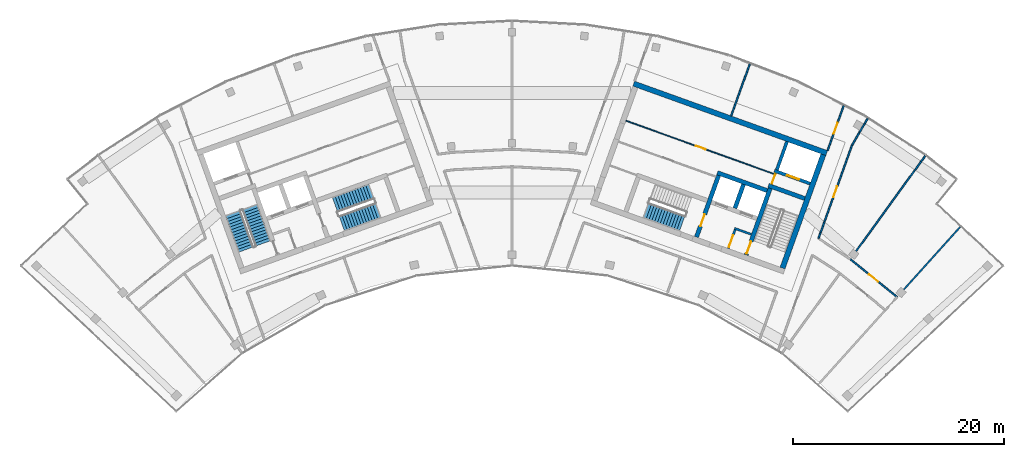
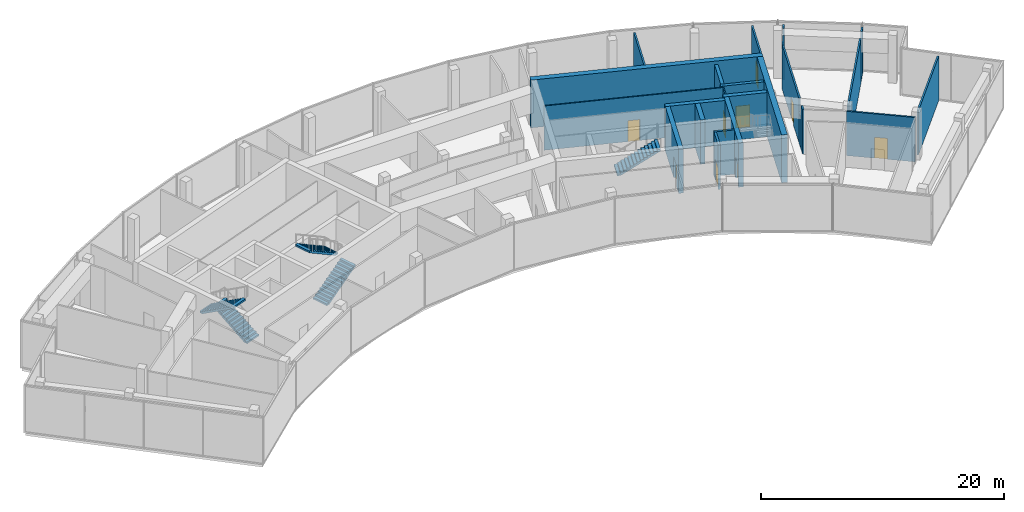
# One storey, part 15 of 17: 26 walls, 9 doors, 5 stair flights, 9 openings, 3 elements without a shape of their own.
"""IFC4 building model written with IfcOpenShell, lengths in metres."""

from ifc_helpers import new_model, si_unit, direction, frame, frame_2d, origin, place, context, subcontext, project, spatial, polyline, rectangle, outline, extrude, material, layer, layer_set, type_object, element, fill, aggregate, save


model = new_model("IFC4")

# Units and contexts
model_context = context("Model", 3, precision=1e-05, world=origin(), true_north=direction((0.0, 1.0)))
body_context = subcontext(model_context, "Body", "Model", "MODEL_VIEW")
ifc_project = project(units=[si_unit("LENGTHUNIT", "METRE"), si_unit("AREAUNIT", "SQUARE_METRE"), si_unit("VOLUMEUNIT", "CUBIC_METRE"), si_unit("PLANEANGLEUNIT", "RADIAN"), si_unit("MASSUNIT", "GRAM", prefix="KILO")], contexts=[model_context])

# Site, building, storey
site_placement = place(None, origin())
site = spatial("IfcSite", under=ifc_project, at=site_placement, CompositionType="ELEMENT")
building_placement = place(site_placement, origin())
building = spatial("IfcBuilding", under=site, at=building_placement, Name="Stone Belt Terrace Tower", CompositionType="ELEMENT")
storey_placement = place(building_placement, frame((0.0, 0.0, 318.199951171875)))
storey = spatial("IfcBuildingStorey", under=building, at=storey_placement, Name="L77", CompositionType="ELEMENT", Elevation=318.199951171875)

# Wall, opening, door
ifc_material_1 = material(Name="Plasterboard partition")
ifc_layer_1 = layer(ifc_material_1, 0.10009765625)
ifc_layer_set_1 = layer_set([ifc_layer_1], Name="Core partition 100")
wall_type_1 = type_object("IfcWallType", Name="Core partition 100", PredefinedType="PARTITIONING", material=ifc_layer_set_1)
wall_1_placement = place(storey_placement, frame((24.555908203125, 51.10400390625, 0.0), z_axis=(0.0, 0.0, 1.0), x_axis=(0.338621735342, 0.94092258999, 0.0)))
wall_1 = element("IfcWall", 1, at=wall_1_placement, inside=storey, type_object=wall_type_1, Name="Core B wall", PredefinedType="PARTITIONING", context=body_context, shape_type="SweptSolid", body=[
    extrude(rectangle(XDim=1.14990234375, YDim=0.10009765625, at=frame_2d((0.574951171875, 0.0))), origin(), (0.0, 0.0, 1.0), 4.449951171875),
])
opening_1_placement = place(wall_1_placement, frame((0.050048828125, 0.0, 0.0)))
opening_1 = element("IfcOpeningElement", 2, at=opening_1_placement, cuts=wall_1, Name="Opening L77-C13", PredefinedType="OPENING", context=body_context, shape_type="SweptSolid", body=[
    extrude(rectangle(XDim=1.0, YDim=2.10009765625, at=frame_2d((0.5, 1.050048828125))), frame((0.0, 0.06005859375, 0.0), z_axis=(0.0, -1.0, 0.0), x_axis=(1.0, 0.0, 0.0)), (0.0, 0.0, 1.0), 0.1201171875),
])
ifc_material_2 = material(Name="Timber door leaf", Category="wood")
door_type_1 = type_object("IfcDoorType", Name="Core room door 1000", OperationType="SINGLE_SWING_LEFT", PredefinedType="DOOR", material=ifc_material_2)
door_1_placement = place(opening_1_placement, origin())
door_1 = element("IfcDoor", 3, at=door_1_placement, inside=storey, type_object=door_type_1, Name="Service lift lobby door core B", OperationType="SINGLE_SWING_RIGHT", OverallHeight=2.10009765625, OverallWidth=1.0, PredefinedType="DOOR", context=body_context, shape_type="SweptSolid", body=[
    extrude(rectangle(XDim=1.0, YDim=2.10009765625, at=frame_2d((0.5, 1.050048828125))), frame((0.0, 0.02490234375, 0.0), z_axis=(0.0, -1.0, 0.0), x_axis=(1.0, 0.0, 0.0)), (0.0, 0.0, 1.0), 0.050048828125),
])
fill(opening_1, door_1)

wall_2_placement = place(storey_placement, frame((24.847412109375, 52.061767578125, 0.0), z_axis=(0.0, 0.0, 1.0), x_axis=(-0.940921131887, 0.338625786921, 0.0)))
wall_2 = element("IfcWall", 4, at=wall_2_placement, inside=storey, type_object=wall_type_1, Name="Core B wall", PredefinedType="PARTITIONING", context=body_context, shape_type="SweptSolid", body=[
    extrude(rectangle(XDim=14.9501953125, YDim=0.10009765625, at=frame_2d((7.47509765625, 0.0))), origin(), (0.0, 0.0, 1.0), 4.449951171875),
])
opening_2_placement = place(wall_2_placement, frame((6.949951171875, 0.0, 0.0)))
opening_2 = element("IfcOpeningElement", 5, at=opening_2_placement, cuts=wall_2, Name="Opening L77-C11", PredefinedType="OPENING", context=body_context, shape_type="SweptSolid", body=[
    extrude(rectangle(XDim=1.0, YDim=2.10009765625, at=frame_2d((0.5, 1.050048828125))), frame((0.0, 0.06005859375, 0.0), z_axis=(0.0, -1.0, 0.0), x_axis=(1.0, 0.0, 0.0)), (0.0, 0.0, 1.0), 0.1201171875),
])
door_2_placement = place(opening_2_placement, origin())
door_2 = element("IfcDoor", 6, at=door_2_placement, inside=storey, type_object=door_type_1, Name="Door to Electrical room core B", OperationType="SINGLE_SWING_RIGHT", OverallHeight=2.10009765625, OverallWidth=1.0, PredefinedType="DOOR", context=body_context, shape_type="SweptSolid", body=[
    extrude(rectangle(XDim=1.0, YDim=2.10009765625, at=frame_2d((0.5, 1.050048828125))), frame((0.0, 0.02490234375, 0.0), z_axis=(0.0, -1.0, 0.0), x_axis=(1.0, 0.0, 0.0)), (0.0, 0.0, 1.0), 0.050048828125),
])
fill(opening_2, door_2)

# Walls
ifc_material_3 = material(Name="Concrete B60", Category="concrete")
ifc_layer_2 = layer(ifc_material_3, 0.5)
ifc_layer_set_2 = layer_set([ifc_layer_2], Name="Core wall 500 B60")
wall_type_2 = type_object("IfcWallType", Name="Core wall 500 B60", PredefinedType="SHEAR", material=ifc_layer_set_2)
wall_3_placement = place(storey_placement, frame((11.51220703125, 60.6337890625, 0.0), z_axis=(0.0, 0.0, 1.0), x_axis=(0.940921417488, -0.338624993336, 0.0)))
element("IfcWall", 7, at=wall_3_placement, inside=storey, type_object=wall_type_2, Name="Core B wall convex L77", PredefinedType="SHEAR", context=body_context, shape_type="SweptSolid", body=[
    extrude(rectangle(XDim=19.400146484375, YDim=0.5, at=frame_2d((9.7001953125, 0.0))), origin(), (0.0, 0.0, 1.0), 4.800048828125),
])
wall_4_placement = place(storey_placement, frame((25.5859375, 43.1875, 0.0), z_axis=(0.0, 0.0, 1.0), x_axis=(0.338632255135, 0.940918804033, 0.0)))
element("IfcWall", 8, at=wall_4_placement, inside=storey, type_object=wall_type_2, Name="Core B wall end_b L77", PredefinedType="SHEAR", context=body_context, shape_type="SweptSolid", body=[
    extrude(rectangle(XDim=11.39990234375, YDim=0.5, at=frame_2d((5.699951171875, 0.0))), origin(), (0.0, 0.0, 1.0), 4.800048828125),
])
ifc_material_4 = material(Name="Concrete B80", Category="concrete")
ifc_layer_3 = layer(ifc_material_4, 0.39990234375)
ifc_layer_set_3 = layer_set([ifc_layer_3], Name="Fire-fighting lift shaft wall 400")
wall_type_3 = type_object("IfcWallType", Name="Fire-fighting lift shaft wall 400", PredefinedType="SHEAR", material=ifc_layer_set_3)
wall_5_placement = place(storey_placement, frame((24.130615234375, 50.512939453125, 0.0), z_axis=(0.0, 0.0, 1.0), x_axis=(-0.94091168377, 0.338652038744, 0.0)))
element("IfcWall", 9, at=wall_5_placement, inside=storey, type_object=wall_type_3, Name="Core B wall", PredefinedType="SHEAR", context=body_context, shape_type="SweptSolid", body=[
    extrude(rectangle(XDim=5.000244140625, YDim=0.39990234375, at=frame_2d((2.5, 0.0))), origin(), (0.0, 0.0, 1.0), 4.449951171875),
])
wall_6_placement = place(storey_placement, frame((21.0859375, 48.845458984375, 0.0), z_axis=(0.0, 0.0, 1.0), x_axis=(0.338629416206, 0.940919825745, 0.0)))
element("IfcWall", 10, at=wall_6_placement, inside=storey, type_object=wall_type_3, Name="Core B wall", PredefinedType="SHEAR", context=body_context, shape_type="SweptSolid", body=[
    extrude(rectangle(XDim=2.400146484375, YDim=0.39990234375, at=frame_2d((1.2001953125, 0.0))), origin(), (0.0, 0.0, 1.0), 4.449951171875),
])

# Wall, opening, door
ifc_layer_4 = layer(ifc_material_4, 0.300048828125)
ifc_layer_set_4 = layer_set([ifc_layer_4], Name="Lift shaft wall 300")
wall_type_4 = type_object("IfcWallType", Name="Lift shaft wall 300", PredefinedType="SHEAR", material=ifc_layer_set_4)
wall_7_placement = place(storey_placement, frame((28.195068359375, 51.17578125, 0.0), z_axis=(0.0, 0.0, 1.0), x_axis=(-0.940901243567, 0.338681044427, 0.0)))
wall_7 = element("IfcWall", 11, at=wall_7_placement, inside=storey, type_object=wall_type_4, Name="Core B wall", PredefinedType="SHEAR", context=body_context, shape_type="SweptSolid", body=[
    extrude(rectangle(XDim=3.599853515625, YDim=0.300048828125, at=frame_2d((1.7998046875, 0.0))), origin(), (0.0, 0.0, 1.0), 4.449951171875),
])
opening_3_placement = place(wall_7_placement, frame((1.1201171875, 0.0, 0.0)))
opening_3 = element("IfcOpeningElement", 12, at=opening_3_placement, cuts=wall_7, Name="Opening L77-LD06", PredefinedType="OPENING", context=body_context, shape_type="SweptSolid", body=[
    extrude(rectangle(XDim=1.199951171875, YDim=2.199951171875, at=frame_2d((0.60009765625, 1.10009765625))), frame((0.0, 0.159912109375, 0.0), z_axis=(0.0, -1.0, 0.0), x_axis=(1.0, 0.0, 0.0)), (0.0, 0.0, 1.0), 0.320068359375),
])
ifc_material_5 = material(Name="Stainless steel door leaf", Category="steel")
door_type_2 = type_object("IfcDoorType", Name="Landing door 1200", OperationType="SLIDING_TO_LEFT", PredefinedType="DOOR", material=ifc_material_5)
door_3_placement = place(opening_3_placement, origin())
door_3 = element("IfcDoor", 13, at=door_3_placement, inside=storey, type_object=door_type_2, Name="Landing door SV1 core B", OperationType="SLIDING_TO_LEFT", OverallHeight=2.199951171875, OverallWidth=1.199951171875, PredefinedType="DOOR", context=body_context, shape_type="SweptSolid", body=[
    extrude(rectangle(XDim=1.199951171875, YDim=2.199951171875, at=frame_2d((0.60009765625, 1.10009765625))), frame((0.0, 0.02490234375, 0.0), z_axis=(0.0, -1.0, 0.0), x_axis=(1.0, 0.0, 0.0)), (0.0, 0.0, 1.0), 0.050048828125),
])
fill(opening_3, door_3)

# Wall
wall_8_placement = place(storey_placement, frame((25.046875, 52.46826171875, 0.0), z_axis=(0.0, 0.0, 1.0), x_axis=(0.338549588058, 0.940948551423, 0.0)))
element("IfcWall", 14, at=wall_8_placement, inside=storey, type_object=wall_type_4, Name="Core B wall", PredefinedType="SHEAR", context=body_context, shape_type="SweptSolid", body=[
    extrude(rectangle(XDim=2.849853515625, YDim=0.300048828125, at=frame_2d((1.4248046875, 0.0))), origin(), (0.0, 0.0, 1.0), 4.449951171875),
])

# Wall, opening, door
ifc_material_6 = material(Name="Gypsum board partition")
ifc_layer_5 = layer(ifc_material_6, 0.14990234375)
ifc_layer_set_5 = layer_set([ifc_layer_5], Name="PARTITION 150 EI 60")
wall_type_5 = type_object("IfcWallType", Name="PARTITION 150 EI 60", PredefinedType="PARTITIONING", material=ifc_layer_set_5)
wall_9_placement = place(storey_placement, frame((29.85107421875, 54.300048828125, 0.0), z_axis=(0.0, 0.0, 1.0), x_axis=(0.338585267605, 0.940935713299, 0.0)))
wall_9 = element("IfcWall", 15, at=wall_9_placement, inside=storey, type_object=wall_type_5, Name="L77/wall/i021", PredefinedType="PARTITIONING", context=body_context, shape_type="SweptSolid", body=[
    extrude(rectangle(XDim=4.509521484375, YDim=0.14990234375, at=frame_2d((2.2548828125, 0.0))), origin(), (0.0, 0.0, 1.0), 4.449951171875),
])
opening_4_placement = place(wall_9_placement, frame((1.704833984375, 0.0, 0.0)))
opening_4 = element("IfcOpeningElement", 16, at=opening_4_placement, cuts=wall_9, Name="Opening D-C77-08", PredefinedType="OPENING", context=body_context, shape_type="SweptSolid", body=[
    extrude(rectangle(XDim=1.10009765625, YDim=2.10009765625, at=frame_2d((0.550048828125, 1.050048828125))), frame((0.0, 0.0849609375, 0.0), z_axis=(0.0, -1.0, 0.0), x_axis=(1.0, 0.0, 0.0)), (0.0, 0.0, 1.0), 0.169921875),
])
ifc_material_7 = material(Name="Steel fire door set", Category="steel")
door_type_3 = type_object("IfcDoorType", Name="SERVICE ROOM DOOR 1100 X 2100", OperationType="NOTDEFINED", PredefinedType="DOOR", material=ifc_material_7)
door_4_placement = place(opening_4_placement, origin())
door_4 = element("IfcDoor", 17, at=door_4_placement, inside=storey, type_object=door_type_3, Name="L77/door/i08", OperationType="SINGLE_SWING_RIGHT", OverallHeight=2.10009765625, OverallWidth=1.10009765625, PredefinedType="DOOR", context=body_context, shape_type="SweptSolid", body=[
    extrude(rectangle(XDim=1.10009765625, YDim=2.10009765625, at=frame_2d((0.550048828125, 1.050048828125))), frame((0.0, 0.02490234375, 0.0), z_axis=(0.0, -1.0, 0.0), x_axis=(1.0, 0.0, 0.0)), (0.0, 0.0, 1.0), 0.050048828125),
])
fill(opening_4, door_4)

# Walls
wall_10_placement = place(storey_placement, frame((33.640625, 57.336181640625, 0.0), z_axis=(0.0, 0.0, 1.0), x_axis=(-0.505939142172, -0.862569176599, 0.0)))
element("IfcWall", 18, at=wall_10_placement, inside=storey, type_object=wall_type_5, Name="L77/wall/i023-1", PredefinedType="PARTITIONING", context=body_context, shape_type="SweptSolid", body=[
    extrude(rectangle(XDim=0.513427734375, YDim=0.14990234375, at=frame_2d((0.2568359375, 0.0))), origin(), (0.0, 0.0, 1.0), 4.449951171875),
])
wall_11_placement = place(storey_placement, frame((33.380859375, 56.893310546875, 0.0), z_axis=(0.0, 0.0, 1.0), x_axis=(-0.506134256397, -0.862454702869, 0.0)))
element("IfcWall", 19, at=wall_11_placement, inside=storey, type_object=wall_type_5, Name="L77/wall/i023-2", PredefinedType="PARTITIONING", context=body_context, shape_type="SweptSolid", body=[
    extrude(rectangle(XDim=1.011962890625, YDim=0.14990234375, at=frame_2d((0.505859375, 0.0))), origin(), (0.0, 0.0, 1.0), 3.050048828125),
])
wall_12_placement = place(storey_placement, frame((32.86865234375, 56.0205078125, 0.0), z_axis=(0.0, 0.0, 1.0), x_axis=(-0.505934839894, -0.862571700082, 0.0)))
element("IfcWall", 20, at=wall_12_placement, inside=storey, type_object=wall_type_5, Name="L77/wall/i023-3", PredefinedType="PARTITIONING", context=body_context, shape_type="SweptSolid", body=[
    extrude(rectangle(XDim=1.396484375, YDim=0.14990234375, at=frame_2d((0.6982421875, 0.0))), origin(), (0.0, 0.0, 1.0), 4.449951171875),
])

# Wall, opening, door
wall_13_placement = place(storey_placement, frame((32.162109375, 54.81591796875, 0.0), z_axis=(0.0, 0.0, 1.0), x_axis=(-0.338636131016, -0.940917409112, 0.0)))
wall_13 = element("IfcWall", 21, at=wall_13_placement, inside=storey, type_object=wall_type_5, Name="L77/wall/i024-1", PredefinedType="PARTITIONING", context=body_context, shape_type="SweptSolid", body=[
    extrude(rectangle(XDim=7.6767578125, YDim=0.14990234375, at=frame_2d((3.83837890625, 0.0))), origin(), (0.0, 0.0, 1.0), 4.449951171875),
])
opening_5_placement = place(wall_13_placement, frame((4.1396484375, 0.0, 0.0)))
opening_5 = element("IfcOpeningElement", 22, at=opening_5_placement, cuts=wall_13, Name="Opening D-C77-17", PredefinedType="OPENING", context=body_context, shape_type="SweptSolid", body=[
    extrude(rectangle(XDim=1.10009765625, YDim=2.10009765625, at=frame_2d((0.550048828125, 1.050048828125))), frame((0.0, 0.0849609375, 0.0), z_axis=(0.0, -1.0, 0.0), x_axis=(1.0, 0.0, 0.0)), (0.0, 0.0, 1.0), 0.169921875),
])
door_5_placement = place(opening_5_placement, origin())
door_5 = element("IfcDoor", 23, at=door_5_placement, inside=storey, type_object=door_type_3, Name="L77/door/i17", OperationType="SINGLE_SWING_RIGHT", OverallHeight=2.10009765625, OverallWidth=1.10009765625, PredefinedType="DOOR", context=body_context, shape_type="SweptSolid", body=[
    extrude(rectangle(XDim=1.10009765625, YDim=2.10009765625, at=frame_2d((0.550048828125, 1.050048828125))), frame((0.0, 0.02490234375, 0.0), z_axis=(0.0, -1.0, 0.0), x_axis=(1.0, 0.0, 0.0)), (0.0, 0.0, 1.0), 0.050048828125),
])
fill(opening_5, door_5)

# Walls
wall_14_placement = place(storey_placement, frame((29.5625, 47.5927734375, 0.0), z_axis=(0.0, 0.0, 1.0), x_axis=(-0.338688873114, -0.940898425564, 0.0)))
element("IfcWall", 24, at=wall_14_placement, inside=storey, type_object=wall_type_5, Name="L77/wall/i024-2", PredefinedType="PARTITIONING", context=body_context, shape_type="SweptSolid", body=[
    extrude(rectangle(XDim=1.13037109375, YDim=0.14990234375, at=frame_2d((0.565185546875, 0.0))), origin(), (0.0, 0.0, 1.0), 3.050048828125),
])
wall_15_placement = place(storey_placement, frame((29.1796875, 46.529296875, 0.0), z_axis=(0.0, 0.0, 1.0), x_axis=(-0.338417215931, -0.940996167878, 0.0)))
element("IfcWall", 25, at=wall_15_placement, inside=storey, type_object=wall_type_5, Name="L77/wall/i024-3", PredefinedType="PARTITIONING", context=body_context, shape_type="SweptSolid", body=[
    extrude(rectangle(XDim=0.572021484375, YDim=0.14990234375, at=frame_2d((0.2861328125, 0.0))), origin(), (0.0, 0.0, 1.0), 4.449951171875),
])
wall_16_placement = place(storey_placement, frame((22.492919921875, 62.4990234375, 0.0), z_axis=(0.0, 0.0, 1.0), x_axis=(-0.338615199904, -0.940924941956, 0.0)))
element("IfcWall", 26, at=wall_16_placement, inside=storey, type_object=wall_type_5, Name="L77/wall/i028", PredefinedType="PARTITIONING", context=body_context, shape_type="SweptSolid", body=[
    extrude(rectangle(XDim=5.2236328125, YDim=0.14990234375, at=frame_2d((2.61181640625, 0.0))), origin(), (0.0, 0.0, 1.0), 4.449951171875),
])
wall_17_placement = place(storey_placement, frame((37.056884765625, 41.155029296875, 0.0), z_axis=(0.0, 0.0, 1.0), x_axis=(0.669104945087, 0.743167930188, 0.0)))
element("IfcWall", 27, at=wall_17_placement, inside=storey, type_object=wall_type_5, Name="L77/wall/i041", PredefinedType="PARTITIONING", context=body_context, shape_type="SweptSolid", body=[
    extrude(rectangle(XDim=7.98388671875, YDim=0.14990234375, at=frame_2d((3.991943359375, 0.0))), origin(), (0.0, 0.0, 1.0), 4.449951171875),
])

# Wall, opening, door
wall_18_placement = place(storey_placement, frame((31.989990234375, 44.031005859375, 0.0), z_axis=(0.0, 0.0, 1.0), x_axis=(0.777142060115, -0.629325208776, 0.0)))
wall_18 = element("IfcWall", 28, at=wall_18_placement, inside=storey, type_object=wall_type_5, Name="L77/wall/i045", PredefinedType="PARTITIONING", context=body_context, shape_type="SweptSolid", body=[
    extrude(rectangle(XDim=5.696533203125, YDim=0.14990234375, at=frame_2d((2.84814453125, 0.0))), origin(), (0.0, 0.0, 1.0), 4.449951171875),
])
opening_6_placement = place(wall_18_placement, frame((2.29833984375, 0.0, 0.0)))
opening_6 = element("IfcOpeningElement", 29, at=opening_6_placement, cuts=wall_18, Name="Opening D-C77-18", PredefinedType="OPENING", context=body_context, shape_type="SweptSolid", body=[
    extrude(rectangle(XDim=1.10009765625, YDim=2.10009765625, at=frame_2d((0.550048828125, 1.050048828125))), frame((0.0, 0.0849609375, 0.0), z_axis=(0.0, -1.0, 0.0), x_axis=(1.0, 0.0, 0.0)), (0.0, 0.0, 1.0), 0.169921875),
])
door_6_placement = place(opening_6_placement, origin())
door_6 = element("IfcDoor", 30, at=door_6_placement, inside=storey, type_object=door_type_3, Name="L77/door/i18", OperationType="SINGLE_SWING_RIGHT", OverallHeight=2.10009765625, OverallWidth=1.10009765625, PredefinedType="DOOR", context=body_context, shape_type="SweptSolid", body=[
    extrude(rectangle(XDim=1.10009765625, YDim=2.10009765625, at=frame_2d((0.550048828125, 1.050048828125))), frame((0.0, 0.02490234375, 0.0), z_axis=(0.0, -1.0, 0.0), x_axis=(1.0, 0.0, 0.0)), (0.0, 0.0, 1.0), 0.050048828125),
])
fill(opening_6, door_6)

# Walls
wall_19_placement = place(storey_placement, frame((39.087890625, 53.7998046875, 0.0), z_axis=(0.0, 0.0, 1.0), x_axis=(-0.58792501558, -0.808915431955, 0.0)))
element("IfcWall", 31, at=wall_19_placement, inside=storey, type_object=wall_type_5, Name="L77/wall/i048-1", PredefinedType="PARTITIONING", context=body_context, shape_type="SweptSolid", body=[
    extrude(rectangle(XDim=0.6474609375, YDim=0.14990234375, at=frame_2d((0.32373046875, 0.0))), origin(), (0.0, 0.0, 1.0), 4.449951171875),
])
wall_20_placement = place(storey_placement, frame((38.707275390625, 53.276123046875, 0.0), z_axis=(0.0, 0.0, 1.0), x_axis=(-0.587810725145, -0.808998486652, 0.0)))
element("IfcWall", 32, at=wall_20_placement, inside=storey, type_object=wall_type_5, Name="L77/wall/i048-2", PredefinedType="PARTITIONING", context=body_context, shape_type="SweptSolid", body=[
    extrude(rectangle(XDim=1.005615234375, YDim=0.14990234375, at=frame_2d((0.5029296875, 0.0))), origin(), (0.0, 0.0, 1.0), 3.050048828125),
])
wall_21_placement = place(storey_placement, frame((38.1162109375, 52.462646484375, 0.0), z_axis=(0.0, 0.0, 1.0), x_axis=(-0.587800574361, -0.809005862019, 0.0)))
element("IfcWall", 33, at=wall_21_placement, inside=storey, type_object=wall_type_5, Name="L77/wall/i048-3", PredefinedType="PARTITIONING", context=body_context, shape_type="SweptSolid", body=[
    extrude(rectangle(XDim=9.46728515625, YDim=0.14990234375, at=frame_2d((4.733642578125, 0.0))), origin(), (0.0, 0.0, 1.0), 4.449951171875),
])
ifc_material_8 = material(Name="Concrete masonry block", Category="masonry")
ifc_layer_6 = layer(ifc_material_8, 0.199951171875)
ifc_layer_set_6 = layer_set([ifc_layer_6], Name="Rated lobby wall 200")
wall_type_6 = type_object("IfcWallType", Name="Rated lobby wall 200", PredefinedType="PARTITIONING", material=ifc_layer_set_6)
wall_22_placement = place(storey_placement, frame((22.640625, 46.373046875, 0.0), z_axis=(0.0, 0.0, 1.0), x_axis=(-0.940966110313, 0.338500781747, 0.0)))
element("IfcWall", 34, at=wall_22_placement, inside=storey, type_object=wall_type_6, Name="Core B wall", PredefinedType="PARTITIONING", context=body_context, shape_type="SweptSolid", body=[
    extrude(rectangle(XDim=1.699951171875, YDim=0.199951171875, at=frame_2d((0.85009765625, 0.0))), origin(), (0.0, 0.0, 1.0), 4.449951171875),
])

# Wall, opening, door
wall_23_placement = place(storey_placement, frame((20.4580078125, 45.032958984375, 0.0), z_axis=(0.0, 0.0, 1.0), x_axis=(0.338573865316, 0.940939816208, 0.0)))
wall_23 = element("IfcWall", 35, at=wall_23_placement, inside=storey, type_object=wall_type_6, Name="Core B wall", PredefinedType="PARTITIONING", context=body_context, shape_type="SweptSolid", body=[
    extrude(rectangle(XDim=1.900146484375, YDim=0.199951171875, at=frame_2d((0.9501953125, 0.0))), origin(), (0.0, 0.0, 1.0), 4.449951171875),
])
opening_7_placement = place(wall_23_placement, frame((0.14990234375, 0.0, 0.0)))
opening_7 = element("IfcOpeningElement", 36, at=opening_7_placement, cuts=wall_23, Name="Opening L77-C16", PredefinedType="OPENING", context=body_context, shape_type="SweptSolid", body=[
    extrude(rectangle(XDim=1.199951171875, YDim=2.10009765625, at=frame_2d((0.60009765625, 1.050048828125))), frame((0.0, 0.10986328125, 0.0), z_axis=(0.0, -1.0, 0.0), x_axis=(1.0, 0.0, 0.0)), (0.0, 0.0, 1.0), 0.219970703125),
])
ifc_material_9 = material(Name="Steel door leaf", Category="steel")
door_type_4 = type_object("IfcDoorType", Name="Stair door 1200", OperationType="SINGLE_SWING_LEFT", PredefinedType="DOOR", material=ifc_material_9)
door_7_placement = place(opening_7_placement, origin())
door_7 = element("IfcDoor", 37, at=door_7_placement, inside=storey, type_object=door_type_4, Name="Stair airlock door core B", OperationType="SINGLE_SWING_RIGHT", OverallHeight=2.10009765625, OverallWidth=1.199951171875, PredefinedType="DOOR", context=body_context, shape_type="SweptSolid", body=[
    extrude(rectangle(XDim=1.199951171875, YDim=2.10009765625, at=frame_2d((0.60009765625, 1.050048828125))), frame((0.0, 0.02490234375, 0.0), z_axis=(0.0, -1.0, 0.0), x_axis=(1.0, 0.0, 0.0)), (0.0, 0.0, 1.0), 0.050048828125),
])
fill(opening_7, door_7)

# Wall
ifc_layer_7 = layer(ifc_material_4, 0.39990234375)
ifc_layer_set_7 = layer_set([ifc_layer_7], Name="Stair enclosure wall 400")
wall_type_7 = type_object("IfcWallType", Name="Stair enclosure wall 400", PredefinedType="SHEAR", material=ifc_layer_set_7)
wall_24_placement = place(storey_placement, frame((27.687255859375, 49.764404296875, 0.0), z_axis=(0.0, 0.0, 1.0), x_axis=(-0.940918954884, 0.338631835981, 0.0)))
element("IfcWall", 38, at=wall_24_placement, inside=storey, type_object=wall_type_7, Name="Core B wall", PredefinedType="SHEAR", context=body_context, shape_type="SweptSolid", body=[
    extrude(rectangle(XDim=3.650146484375, YDim=0.39990234375, at=frame_2d((1.8251953125, 0.0))), origin(), (0.0, 0.0, 1.0), 4.449951171875),
])

# Wall, opening, door
wall_25_placement = place(storey_placement, frame((22.151611328125, 44.42333984375, 0.0), z_axis=(0.0, 0.0, 1.0), x_axis=(0.338625272931, 0.940921316866, 0.0)))
wall_25 = element("IfcWall", 39, at=wall_25_placement, inside=storey, type_object=wall_type_7, Name="Core B wall", PredefinedType="SHEAR", context=body_context, shape_type="SweptSolid", body=[
    extrude(rectangle(XDim=6.699951171875, YDim=0.39990234375, at=frame_2d((3.35009765625, 0.0))), origin(), (0.0, 0.0, 1.0), 4.449951171875),
])
opening_8_placement = place(wall_25_placement, frame((0.14990234375, 0.0, 0.0)))
opening_8 = element("IfcOpeningElement", 40, at=opening_8_placement, cuts=wall_25, Name="Opening L77-C15", PredefinedType="OPENING", context=body_context, shape_type="SweptSolid", body=[
    extrude(rectangle(XDim=1.199951171875, YDim=2.10009765625, at=frame_2d((0.60009765625, 1.050048828125))), frame((0.0, 0.2099609375, 0.0), z_axis=(0.0, -1.0, 0.0), x_axis=(1.0, 0.0, 0.0)), (0.0, 0.0, 1.0), 0.419921875),
])
door_8_placement = place(opening_8_placement, origin())
door_8 = element("IfcDoor", 41, at=door_8_placement, inside=storey, type_object=door_type_4, Name="Stair 1 door core B", OperationType="SINGLE_SWING_RIGHT", OverallHeight=2.10009765625, OverallWidth=1.199951171875, PredefinedType="DOOR", context=body_context, shape_type="SweptSolid", body=[
    extrude(rectangle(XDim=1.199951171875, YDim=2.10009765625, at=frame_2d((0.60009765625, 1.050048828125))), frame((0.0, 0.02490234375, 0.0), z_axis=(0.0, -1.0, 0.0), x_axis=(1.0, 0.0, 0.0)), (0.0, 0.0, 1.0), 0.050048828125),
])
fill(opening_8, door_8)

wall_26_placement = place(storey_placement, frame((17.447021484375, 46.116455078125, 0.0), z_axis=(0.0, 0.0, 1.0), x_axis=(0.33860791464, 0.940927563707, 0.0)))
wall_26 = element("IfcWall", 42, at=wall_26_placement, inside=storey, type_object=wall_type_7, Name="Core B wall", PredefinedType="SHEAR", context=body_context, shape_type="SweptSolid", body=[
    extrude(rectangle(XDim=6.199951171875, YDim=0.39990234375, at=frame_2d((3.10009765625, 0.0))), origin(), (0.0, 0.0, 1.0), 4.449951171875),
])
opening_9_placement = place(wall_26_placement, frame((1.10009765625, 0.0, 0.0)))
opening_9 = element("IfcOpeningElement", 43, at=opening_9_placement, cuts=wall_26, Name="Opening L77-C18", PredefinedType="OPENING", context=body_context, shape_type="SweptSolid", body=[
    extrude(rectangle(XDim=1.199951171875, YDim=2.10009765625, at=frame_2d((0.60009765625, 1.050048828125))), frame((0.0, 0.2099609375, 0.0), z_axis=(0.0, -1.0, 0.0), x_axis=(1.0, 0.0, 0.0)), (0.0, 0.0, 1.0), 0.419921875),
])
door_9_placement = place(opening_9_placement, origin())
door_9 = element("IfcDoor", 44, at=door_9_placement, inside=storey, type_object=door_type_4, Name="Stair 2 door core B", OperationType="SINGLE_SWING_RIGHT", OverallHeight=2.10009765625, OverallWidth=1.199951171875, PredefinedType="DOOR", context=body_context, shape_type="SweptSolid", body=[
    extrude(rectangle(XDim=1.199951171875, YDim=2.10009765625, at=frame_2d((0.60009765625, 1.050048828125))), frame((0.0, 0.02490234375, 0.0), z_axis=(0.0, -1.0, 0.0), x_axis=(1.0, 0.0, 0.0)), (0.0, 0.0, 1.0), 0.050048828125),
])
fill(opening_9, door_9)

# Stair, stair flights
ifc_material_10 = material(Name="Concrete B40", Category="concrete")
stair_type = type_object("IfcStairType", Name="Exit stair 1500", PredefinedType="HALF_TURN_STAIR", material=ifc_material_10)
stair_1_placement = place(storey_placement, origin())
stair_1 = element("IfcStair", 45, at=stair_1_placement, inside=storey, type_object=stair_type, Name="L77 Exit stair 1 core A", PredefinedType="HALF_TURN_STAIR")
stair_flight_type = type_object("IfcStairFlightType", Name="Stair flight 1500", PredefinedType="STRAIGHT", material=ifc_material_10)
stair_flight_1_placement = place(storey_placement, frame((-23.55322265625, 45.51318359375, 0.0), z_axis=(0.0, 0.0, 1.0), x_axis=(-0.338624396177, 0.940921632398, 0.0)))
stair_flight_1 = element("IfcStairFlight", 46, at=stair_flight_1_placement, type_object=stair_flight_type, Name="ST1A flight 1", NumberOfRisers=14, NumberOfTreads=13, PredefinedType="STRAIGHT", RiserHeight=0.171428571, TreadLength=0.28, context=body_context, shape_type="SweptSolid", body=[
    extrude(outline(polyline([(0.0, 0.0), (0.0, 0.17138671875), (0.280029296875, 0.17138671875), (0.280029296875, 0.3427734375), (0.56005859375, 0.3427734375), (0.56005859375, 0.514404296875), (0.840087890625, 0.514404296875), (0.840087890625, 0.685791015625), (1.1201171875, 0.685791015625), (1.1201171875, 0.857177734375), (1.39990234375, 0.857177734375), (1.39990234375, 1.028564453125), (1.679931640625, 1.028564453125), (1.679931640625, 1.199951171875), (1.9599609375, 1.199951171875), (1.9599609375, 1.371337890625), (2.239990234375, 1.371337890625), (2.239990234375, 1.54296875), (2.52001953125, 1.54296875), (2.52001953125, 1.71435546875), (2.800048828125, 1.71435546875), (2.800048828125, 1.8857421875), (3.080078125, 1.8857421875), (3.080078125, 2.05712890625), (3.360107421875, 2.05712890625), (3.360107421875, 2.228515625), (3.639892578125, 2.228515625), (3.639892578125, 2.39990234375), (3.639892578125, 2.052734375), (0.287109375, 0.0), (0.0, 0.0)])), frame((0.0, 0.75, 0.0), z_axis=(0.0, -1.0, 0.0), x_axis=(1.0, 0.0, 0.0)), (0.0, 0.0, 1.0), 1.5),
])
stair_flight_2_placement = place(storey_placement, frame((-26.385498046875, 48.3623046875, 2.400146484375), z_axis=(0.0, 0.0, 1.0), x_axis=(0.338624396177, -0.940921632398, 0.0)))
stair_flight_2 = element("IfcStairFlight", 47, at=stair_flight_2_placement, type_object=stair_flight_type, Name="ST1A flight 2", NumberOfRisers=14, NumberOfTreads=13, PredefinedType="STRAIGHT", RiserHeight=0.171428571, TreadLength=0.28, context=body_context, shape_type="SweptSolid", body=[
    extrude(outline(polyline([(0.0, 0.0), (0.0, 0.17138671875), (0.280029296875, 0.17138671875), (0.280029296875, 0.3427734375), (0.56005859375, 0.3427734375), (0.56005859375, 0.514404296875), (0.840087890625, 0.514404296875), (0.840087890625, 0.685791015625), (1.1201171875, 0.685791015625), (1.1201171875, 0.857177734375), (1.39990234375, 0.857177734375), (1.39990234375, 1.028564453125), (1.679931640625, 1.028564453125), (1.679931640625, 1.199951171875), (1.9599609375, 1.199951171875), (1.9599609375, 1.371337890625), (2.239990234375, 1.371337890625), (2.239990234375, 1.54296875), (2.52001953125, 1.54296875), (2.52001953125, 1.71435546875), (2.800048828125, 1.71435546875), (2.800048828125, 1.8857421875), (3.080078125, 1.8857421875), (3.080078125, 2.05712890625), (3.360107421875, 2.05712890625), (3.360107421875, 2.228515625), (3.639892578125, 2.228515625), (3.639892578125, 2.39990234375), (3.639892578125, 2.052734375), (0.287109375, 0.0), (0.0, 0.0)])), frame((0.0, 0.75, 0.0), z_axis=(0.0, -1.0, 0.0), x_axis=(1.0, 0.0, 0.0)), (0.0, 0.0, 1.0), 1.5),
])
aggregate(stair_1, [stair_flight_1, stair_flight_2])

stair_2_placement = place(storey_placement, origin())
stair_2 = element("IfcStair", 48, at=stair_2_placement, inside=storey, type_object=stair_type, Name="L77 Exit stair 2 core A", PredefinedType="HALF_TURN_STAIR")
stair_flight_3_placement = place(storey_placement, frame((-16.101318359375, 47.39794921875, 0.0), z_axis=(0.0, 0.0, 1.0), x_axis=(0.940921632398, 0.338624396177, 0.0)))
stair_flight_3 = element("IfcStairFlight", 49, at=stair_flight_3_placement, type_object=stair_flight_type, Name="ST2A flight 1", NumberOfRisers=14, NumberOfTreads=13, PredefinedType="STRAIGHT", RiserHeight=0.171428571, TreadLength=0.28, context=body_context, shape_type="SweptSolid", body=[
    extrude(outline(polyline([(0.0, 0.0), (0.0, 0.17138671875), (0.280029296875, 0.17138671875), (0.280029296875, 0.3427734375), (0.56005859375, 0.3427734375), (0.56005859375, 0.514404296875), (0.840087890625, 0.514404296875), (0.840087890625, 0.685791015625), (1.1201171875, 0.685791015625), (1.1201171875, 0.857177734375), (1.39990234375, 0.857177734375), (1.39990234375, 1.028564453125), (1.679931640625, 1.028564453125), (1.679931640625, 1.199951171875), (1.9599609375, 1.199951171875), (1.9599609375, 1.371337890625), (2.239990234375, 1.371337890625), (2.239990234375, 1.54296875), (2.52001953125, 1.54296875), (2.52001953125, 1.71435546875), (2.800048828125, 1.71435546875), (2.800048828125, 1.8857421875), (3.080078125, 1.8857421875), (3.080078125, 2.05712890625), (3.360107421875, 2.05712890625), (3.360107421875, 2.228515625), (3.639892578125, 2.228515625), (3.639892578125, 2.39990234375), (3.639892578125, 2.052734375), (0.287109375, 0.0), (0.0, 0.0)])), frame((0.0, 0.75, 0.0), z_axis=(0.0, -1.0, 0.0), x_axis=(1.0, 0.0, 0.0)), (0.0, 0.0, 1.0), 1.5),
])
stair_flight_4_placement = place(storey_placement, frame((-13.31982421875, 50.418212890625, 2.400146484375), z_axis=(0.0, 0.0, 1.0), x_axis=(-0.940921632398, -0.338624396177, 0.0)))
stair_flight_4 = element("IfcStairFlight", 50, at=stair_flight_4_placement, type_object=stair_flight_type, Name="ST2A flight 2", NumberOfRisers=14, NumberOfTreads=13, PredefinedType="STRAIGHT", RiserHeight=0.171428571, TreadLength=0.28, context=body_context, shape_type="SweptSolid", body=[
    extrude(outline(polyline([(0.0, 0.0), (0.0, 0.17138671875), (0.280029296875, 0.17138671875), (0.280029296875, 0.3427734375), (0.56005859375, 0.3427734375), (0.56005859375, 0.514404296875), (0.840087890625, 0.514404296875), (0.840087890625, 0.685791015625), (1.1201171875, 0.685791015625), (1.1201171875, 0.857177734375), (1.39990234375, 0.857177734375), (1.39990234375, 1.028564453125), (1.679931640625, 1.028564453125), (1.679931640625, 1.199951171875), (1.9599609375, 1.199951171875), (1.9599609375, 1.371337890625), (2.239990234375, 1.371337890625), (2.239990234375, 1.54296875), (2.52001953125, 1.54296875), (2.52001953125, 1.71435546875), (2.800048828125, 1.71435546875), (2.800048828125, 1.8857421875), (3.080078125, 1.8857421875), (3.080078125, 2.05712890625), (3.360107421875, 2.05712890625), (3.360107421875, 2.228515625), (3.639892578125, 2.228515625), (3.639892578125, 2.39990234375), (3.639892578125, 2.052734375), (0.287109375, 0.0), (0.0, 0.0)])), frame((0.0, 0.75, 0.0), z_axis=(0.0, -1.0, 0.0), x_axis=(1.0, 0.0, 0.0)), (0.0, 0.0, 1.0), 1.5),
])
aggregate(stair_2, [stair_flight_3, stair_flight_4])

# Stair, stair flight
stair_3_placement = place(storey_placement, origin())
stair_3 = element("IfcStair", 51, at=stair_3_placement, inside=storey, type_object=stair_type, Name="L77 Exit stair 2 core B", PredefinedType="HALF_TURN_STAIR")
stair_flight_5_placement = place(storey_placement, frame((12.67626953125, 48.63037109375, 2.400146484375), z_axis=(0.0, 0.0, 1.0), x_axis=(0.940921632398, -0.338624396177, 0.0)))
stair_flight_5 = element("IfcStairFlight", 52, at=stair_flight_5_placement, type_object=stair_flight_type, Name="ST2B flight 2", NumberOfRisers=14, NumberOfTreads=13, PredefinedType="STRAIGHT", RiserHeight=0.171428571, TreadLength=0.28, context=body_context, shape_type="SweptSolid", body=[
    extrude(outline(polyline([(0.0, 0.0), (0.0, 0.17138671875), (0.280029296875, 0.17138671875), (0.280029296875, 0.3427734375), (0.56005859375, 0.3427734375), (0.56005859375, 0.514404296875), (0.840087890625, 0.514404296875), (0.840087890625, 0.685791015625), (1.1201171875, 0.685791015625), (1.1201171875, 0.857177734375), (1.39990234375, 0.857177734375), (1.39990234375, 1.028564453125), (1.679931640625, 1.028564453125), (1.679931640625, 1.199951171875), (1.9599609375, 1.199951171875), (1.9599609375, 1.371337890625), (2.239990234375, 1.371337890625), (2.239990234375, 1.54296875), (2.52001953125, 1.54296875), (2.52001953125, 1.71435546875), (2.800048828125, 1.71435546875), (2.800048828125, 1.8857421875), (3.080078125, 1.8857421875), (3.080078125, 2.05712890625), (3.360107421875, 2.05712890625), (3.360107421875, 2.228515625), (3.639892578125, 2.228515625), (3.639892578125, 2.39990234375), (3.639892578125, 2.052734375), (0.287109375, 0.0), (0.0, 0.0)])), frame((0.0, 0.75, 0.0), z_axis=(0.0, -1.0, 0.0), x_axis=(1.0, 0.0, 0.0)), (0.0, 0.0, 1.0), 1.5),
])
aggregate(stair_3, [stair_flight_5])

save(model, "model.ifc")
